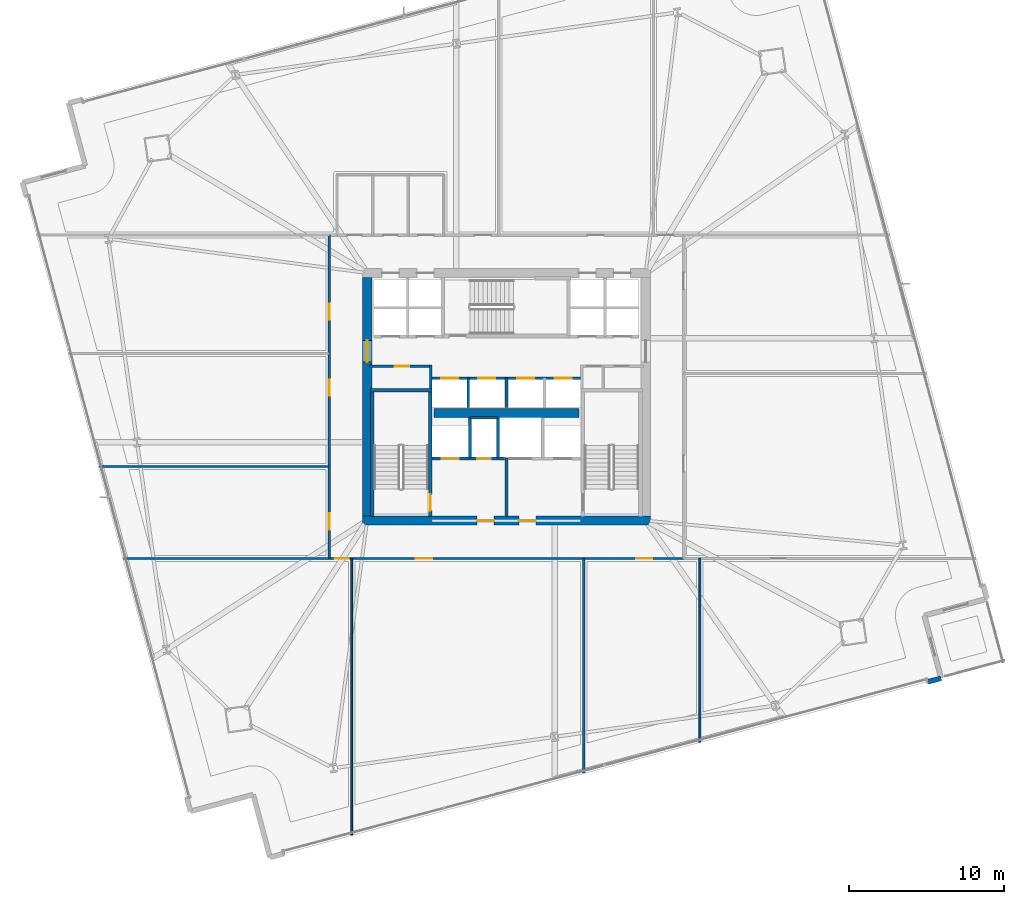
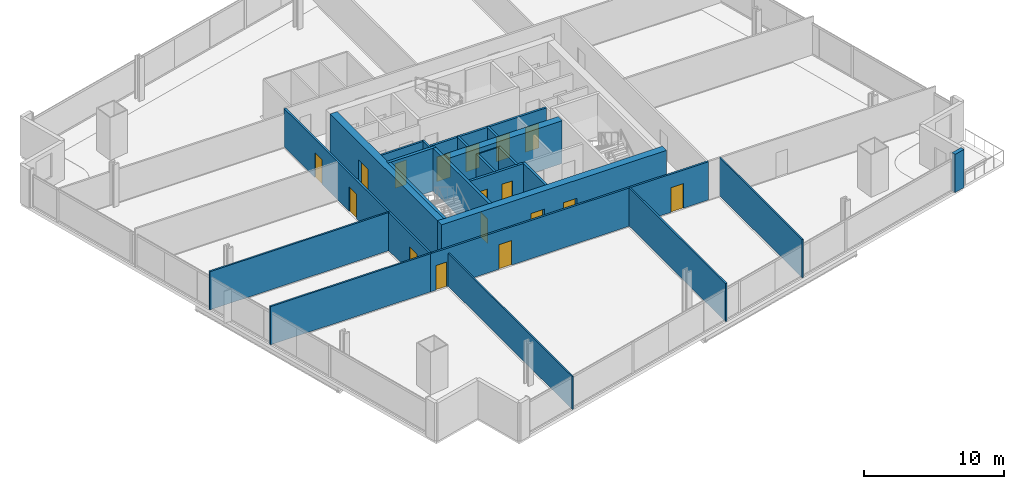
# One storey, part 25 of 33: 24 walls, 17 doors, 17 openings.
"""IFC4 building model written with IfcOpenShell, lengths in metres."""

from ifc_helpers import new_model, si_unit, direction, frame, frame_2d, origin, place, context, subcontext, project, spatial, rectangle, extrude, material, layer, layer_set, type_object, element, fill, save


model = new_model("IFC4")

# Units and contexts
model_context = context("Model", 3, precision=1e-05, world=origin(), true_north=direction((0.0, 1.0)))
body_context = subcontext(model_context, "Body", "Model", "MODEL_VIEW")
ifc_project = project(units=[si_unit("LENGTHUNIT", "METRE"), si_unit("AREAUNIT", "SQUARE_METRE"), si_unit("VOLUMEUNIT", "CUBIC_METRE"), si_unit("PLANEANGLEUNIT", "RADIAN"), si_unit("MASSUNIT", "GRAM", prefix="KILO")], contexts=[model_context])

# Site, building, storey
site_placement = place(None, origin())
site = spatial("IfcSite", under=ifc_project, at=site_placement, CompositionType="ELEMENT")
building_placement = place(site_placement, origin())
building = spatial("IfcBuilding", under=site, at=building_placement, Name="Haldenkirk Collegiate Tower", CompositionType="ELEMENT")
storey_placement = place(building_placement, frame((0.0, 0.0, 77.699951171875)))
storey = spatial("IfcBuildingStorey", under=building, at=storey_placement, Name="L18", CompositionType="ELEMENT", Elevation=77.699951171875)

# Wall, openings, doors
ifc_material_1 = material(Name="Concrete f'c 70 MPa", Category="concrete")
ifc_layer_1 = layer(ifc_material_1, 0.60009765625)
ifc_layer_set_1 = layer_set([ifc_layer_1], Name="Concrete f'c 70 MPa")
wall_type_1 = type_object("IfcWallType", Name="WL-CORE-600", PredefinedType="SHEAR", material=ifc_layer_set_1)
wall_1_placement = place(storey_placement, frame((26.699951171875, 18.0, 0.0), z_axis=(0.0, 0.0, 1.0), x_axis=(1.0, 0.0, 0.0)))
wall_1 = element("IfcWall", 1, at=wall_1_placement, inside=storey, type_object=wall_type_1, Name="L18 central core shear wall S", PredefinedType="SHEAR", context=body_context, shape_type="SweptSolid", body=[
    extrude(rectangle(XDim=18.60009765625, YDim=0.60009765625, at=frame_2d((9.300048828125, 0.0))), origin(), (0.0, 0.0, 1.0), 3.75),
])
opening_1_placement = place(wall_1_placement, frame((7.39990234375, 0.0, 0.0)))
opening_1 = element("IfcOpeningElement", 2, at=opening_1_placement, cuts=wall_1, Name="Opening D-02", PredefinedType="OPENING", context=body_context, shape_type="SweptSolid", body=[
    extrude(rectangle(XDim=1.10009765625, YDim=2.14990234375, at=frame_2d((0.550048828125, 1.074951171875))), frame((0.0, 0.31005859375, 0.0), z_axis=(0.0, -1.0, 0.0), x_axis=(1.0, 0.0, 0.0)), (0.0, 0.0, 1.0), 0.6201171875),
])
opening_2_placement = place(wall_1_placement, frame((10.10009765625, 0.0, 0.0)))
opening_2 = element("IfcOpeningElement", 3, at=opening_2_placement, cuts=wall_1, Name="Opening D-02", PredefinedType="OPENING", context=body_context, shape_type="SweptSolid", body=[
    extrude(rectangle(XDim=1.10009765625, YDim=2.14990234375, at=frame_2d((0.550048828125, 1.074951171875))), frame((0.0, 0.31005859375, 0.0), z_axis=(0.0, -1.0, 0.0), x_axis=(1.0, 0.0, 0.0)), (0.0, 0.0, 1.0), 0.6201171875),
])
ifc_material_2 = material(Name="Galvanized fire-rated hollow steel door", Category="steel")
ifc_layer_2 = layer(ifc_material_2, 0.06005859375)
ifc_layer_set_2 = layer_set([ifc_layer_2], Name="Galvanized fire-rated hollow steel door")
door_type_1 = type_object("IfcDoorType", Name="DR-STAIR-FD90-1100", OperationType="NOTDEFINED", PredefinedType="DOOR", material=ifc_layer_set_2)
door_1_placement = place(opening_1_placement, origin())
door_1 = element("IfcDoor", 4, at=door_1_placement, inside=storey, type_object=door_type_1, Name="L18 Firefighting Lobby 1 door", OperationType="SINGLE_SWING_LEFT", OverallHeight=2.14990234375, OverallWidth=1.10009765625, PredefinedType="DOOR", context=body_context, shape_type="SweptSolid", body=[
    extrude(rectangle(XDim=1.10009765625, YDim=2.14990234375, at=frame_2d((0.550048828125, 1.074951171875))), frame((0.0, 0.02490234375, 0.0), z_axis=(0.0, -1.0, 0.0), x_axis=(1.0, 0.0, 0.0)), (0.0, 0.0, 1.0), 0.050048828125),
])
fill(opening_1, door_1)
door_2_placement = place(opening_2_placement, origin())
door_2 = element("IfcDoor", 5, at=door_2_placement, inside=storey, type_object=door_type_1, Name="L18 Firefighting Lobby 2 door", OperationType="SINGLE_SWING_RIGHT", OverallHeight=2.14990234375, OverallWidth=1.10009765625, PredefinedType="DOOR", context=body_context, shape_type="SweptSolid", body=[
    extrude(rectangle(XDim=1.10009765625, YDim=2.14990234375, at=frame_2d((0.550048828125, 1.074951171875))), frame((0.0, 0.02490234375, 0.0), z_axis=(0.0, -1.0, 0.0), x_axis=(1.0, 0.0, 0.0)), (0.0, 0.0, 1.0), 0.050048828125),
])
fill(opening_2, door_2)

# Wall, opening, door
wall_2_placement = place(storey_placement, frame((27.0, 18.300048828125, 0.0), z_axis=(0.0, 0.0, 1.0), x_axis=(0.0, 1.0, 0.0)))
wall_2 = element("IfcWall", 6, at=wall_2_placement, inside=storey, type_object=wall_type_1, Name="L18 central core shear wall W", PredefinedType="SHEAR", context=body_context, shape_type="SweptSolid", body=[
    extrude(rectangle(XDim=15.39990234375, YDim=0.60009765625, at=frame_2d((7.699951171875, 0.0))), origin(), (0.0, 0.0, 1.0), 3.75),
])
opening_3_placement = place(wall_2_placement, frame((9.93994140625, 0.0, 0.0)))
opening_3 = element("IfcOpeningElement", 7, at=opening_3_placement, cuts=wall_2, Name="Opening D-03", PredefinedType="OPENING", context=body_context, shape_type="SweptSolid", body=[
    extrude(rectangle(XDim=1.39990234375, YDim=2.199951171875, at=frame_2d((0.699951171875, 1.10009765625))), frame((0.0, 0.31005859375, 0.0), z_axis=(0.0, -1.0, 0.0), x_axis=(1.0, 0.0, 0.0)), (0.0, 0.0, 1.0), 0.6201171875),
])
ifc_layer_3 = layer(ifc_material_2, 0.06005859375)
ifc_layer_set_3 = layer_set([ifc_layer_3], Name="Galvanized fire-rated hollow steel door")
door_type_2 = type_object("IfcDoorType", Name="DR-LOBBY-FD90-1400", OperationType="NOTDEFINED", PredefinedType="DOOR", material=ifc_layer_set_3)
door_3_placement = place(opening_3_placement, origin())
door_3 = element("IfcDoor", 8, at=door_3_placement, inside=storey, type_object=door_type_2, Name="L18 west lift lobby portal", OperationType="DOUBLE_DOOR_SINGLE_SWING", OverallHeight=2.199951171875, OverallWidth=1.39990234375, PredefinedType="DOOR", context=body_context, shape_type="SweptSolid", body=[
    extrude(rectangle(XDim=1.39990234375, YDim=2.199951171875, at=frame_2d((0.699951171875, 1.10009765625))), frame((0.0, 0.02490234375, 0.0), z_axis=(0.0, -1.0, 0.0), x_axis=(1.0, 0.0, 0.0)), (0.0, 0.0, 1.0), 0.050048828125),
])
fill(opening_3, door_3)

# Walls
wall_3_placement = place(storey_placement, frame((31.31005859375, 24.949951171875, 0.0), z_axis=(0.0, 0.0, 1.0), x_axis=(1.0, 0.0, 0.0)))
element("IfcWall", 9, at=wall_3_placement, inside=storey, type_object=wall_type_1, Name="L18 central core spine shear wall", PredefinedType="SHEAR", context=body_context, shape_type="SweptSolid", body=[
    extrude(rectangle(XDim=9.3798828125, YDim=0.60009765625, at=frame_2d((4.68994140625, 0.0))), origin(), (0.0, 0.0, 1.0), 3.75),
])
ifc_material_3 = material(Name="Precast concrete f'c 40 MPa", Category="concrete")
ifc_layer_4 = layer(ifc_material_3, 0.320068359375)
ifc_layer_set_4 = layer_set([ifc_layer_4], Name="Precast concrete f'c 40 MPa")
wall_type_2 = type_object("IfcWallType", Name="WL-EXT-TWR-320", PredefinedType="STANDARD", material=ifc_layer_set_4)
wall_4_placement = place(storey_placement, frame((64.094482421875, 7.806884765625, 0.0), z_axis=(0.0, 0.0, 1.0), x_axis=(-0.966158364413, -0.257949636316, 0.0)))
element("IfcWall", 10, at=wall_4_placement, inside=storey, type_object=wall_type_2, Name="L18 precast corner pier SL", PredefinedType="STANDARD", context=body_context, shape_type="SweptSolid", body=[
    extrude(rectangle(XDim=0.900146484375, YDim=0.320068359375, at=frame_2d((0.4501953125, 0.0))), origin(), (0.0, 0.0, 1.0), 3.340087890625),
])

# Wall, opening, door
ifc_material_4 = material(Name="Acoustic fire-rated gypsum partition", Category="concrete")
ifc_layer_5 = layer(ifc_material_4, 0.159912109375)
ifc_layer_set_5 = layer_set([ifc_layer_5], Name="Acoustic fire-rated gypsum partition")
wall_type_3 = type_object("IfcWallType", Name="WL-INT-CORR-160", PredefinedType="PARTITIONING", material=ifc_layer_set_5)
wall_5_placement = place(storey_placement, frame((27.14990234375, 27.97998046875, 0.0), z_axis=(0.0, 0.0, 1.0), x_axis=(1.0, 0.0, 0.0)))
wall_5 = element("IfcWall", 11, at=wall_5_placement, inside=storey, type_object=wall_type_3, Name="L18 interior partition IW-L18-VCSW-N", PredefinedType="PARTITIONING", context=body_context, shape_type="SweptSolid", body=[
    extrude(rectangle(XDim=4.050048828125, YDim=0.159912109375, at=frame_2d((2.02490234375, 0.0))), origin(), (0.0, 0.0, 1.0), 3.340087890625),
])
opening_4_placement = place(wall_5_placement, frame((1.625, 0.0, 0.0)))
opening_4 = element("IfcOpeningElement", 12, at=opening_4_placement, cuts=wall_5, Name="Opening D-10", PredefinedType="OPENING", context=body_context, shape_type="SweptSolid", body=[
    extrude(rectangle(XDim=0.949951171875, YDim=2.14990234375, at=frame_2d((0.47509765625, 1.074951171875))), frame((0.0, 0.08984375, 0.0), z_axis=(0.0, -1.0, 0.0), x_axis=(1.0, 0.0, 0.0)), (0.0, 0.0, 1.0), 0.179931640625),
])
ifc_material_5 = material(Name="Solid-core architectural oak fire door", Category="wood")
ifc_layer_6 = layer(ifc_material_5, 0.06005859375)
ifc_layer_set_6 = layer_set([ifc_layer_6], Name="Solid-core architectural oak fire door")
door_type_3 = type_object("IfcDoorType", Name="DR-INT-FD60-950", OperationType="NOTDEFINED", PredefinedType="DOOR", material=ifc_layer_set_6)
door_4_placement = place(opening_4_placement, origin())
door_4 = element("IfcDoor", 13, at=door_4_placement, inside=storey, type_object=door_type_3, Name="L18 core tea pantry door", OperationType="SINGLE_SWING_LEFT", OverallHeight=2.14990234375, OverallWidth=0.949951171875, PredefinedType="DOOR", context=body_context, shape_type="SweptSolid", body=[
    extrude(rectangle(XDim=0.949951171875, YDim=2.14990234375, at=frame_2d((0.47509765625, 1.074951171875))), frame((0.0, 0.02490234375, 0.0), z_axis=(0.0, -1.0, 0.0), x_axis=(1.0, 0.0, 0.0)), (0.0, 0.0, 1.0), 0.050048828125),
])
fill(opening_4, door_4)

# Wall
wall_6_placement = place(storey_placement, frame((31.1201171875, 26.5400390625, 0.0), z_axis=(0.0, 0.0, 1.0), x_axis=(0.0, 1.0, 0.0)))
element("IfcWall", 14, at=wall_6_placement, inside=storey, type_object=wall_type_3, Name="L18 interior partition IW-L18-VCSW-E", PredefinedType="PARTITIONING", context=body_context, shape_type="SweptSolid", body=[
    extrude(rectangle(XDim=1.510009765625, YDim=0.159912109375, at=frame_2d((0.7548828125, 0.0))), origin(), (0.0, 0.0, 1.0), 3.340087890625),
])

# Wall, openings, doors
wall_7_placement = place(storey_placement, frame((24.5, 15.550048828125, 0.0), z_axis=(0.0, 0.0, 1.0), x_axis=(1.0, 0.0, 0.0)))
wall_7 = element("IfcWall", 15, at=wall_7_placement, inside=storey, type_object=wall_type_3, Name="L18 interior partition IW-L18-CS", PredefinedType="PARTITIONING", context=body_context, shape_type="SweptSolid", body=[
    extrude(rectangle(XDim=23.0, YDim=0.159912109375, at=frame_2d((11.5, 0.0))), origin(), (0.0, 0.0, 1.0), 3.340087890625),
])
opening_5_placement = place(wall_7_placement, frame((0.425048828125, 0.0, 0.0)))
opening_5 = element("IfcOpeningElement", 16, at=opening_5_placement, cuts=wall_7, Name="Opening D-11", PredefinedType="OPENING", context=body_context, shape_type="SweptSolid", body=[
    extrude(rectangle(XDim=0.89990234375, YDim=2.14990234375, at=frame_2d((0.449951171875, 1.074951171875))), frame((0.0, 0.08984375, 0.0), z_axis=(0.0, -1.0, 0.0), x_axis=(1.0, 0.0, 0.0)), (0.0, 0.0, 1.0), 0.179931640625),
])
opening_6_placement = place(wall_7_placement, frame((5.655029296875, 0.0, 0.0)))
opening_6 = element("IfcOpeningElement", 17, at=opening_6_placement, cuts=wall_7, Name="Opening D-09", PredefinedType="OPENING", context=body_context, shape_type="SweptSolid", body=[
    extrude(rectangle(XDim=1.050048828125, YDim=2.14990234375, at=frame_2d((0.52490234375, 1.074951171875))), frame((0.0, 0.08984375, 0.0), z_axis=(0.0, -1.0, 0.0), x_axis=(1.0, 0.0, 0.0)), (0.0, 0.0, 1.0), 0.179931640625),
])
opening_7_placement = place(wall_7_placement, frame((19.87890625, 0.0, 0.0)))
opening_7 = element("IfcOpeningElement", 18, at=opening_7_placement, cuts=wall_7, Name="Opening D-09", PredefinedType="OPENING", context=body_context, shape_type="SweptSolid", body=[
    extrude(rectangle(XDim=1.050048828125, YDim=2.14990234375, at=frame_2d((0.52490234375, 1.074951171875))), frame((0.0, 0.08984375, 0.0), z_axis=(0.0, -1.0, 0.0), x_axis=(1.0, 0.0, 0.0)), (0.0, 0.0, 1.0), 0.179931640625),
])
ifc_layer_7 = layer(ifc_material_5, 0.06005859375)
ifc_layer_set_7 = layer_set([ifc_layer_7], Name="Solid-core architectural oak fire door")
door_type_4 = type_object("IfcDoorType", Name="DR-INT-FD60-1050", OperationType="NOTDEFINED", PredefinedType="DOOR", material=ifc_layer_set_7)
door_5_placement = place(opening_6_placement, origin())
door_5 = element("IfcDoor", 19, at=door_5_placement, inside=storey, type_object=door_type_4, Name="L18 Campus Design Shop 2 door", OperationType="SINGLE_SWING_RIGHT", OverallHeight=2.14990234375, OverallWidth=1.050048828125, PredefinedType="DOOR", context=body_context, shape_type="SweptSolid", body=[
    extrude(rectangle(XDim=1.050048828125, YDim=2.14990234375, at=frame_2d((0.52490234375, 1.074951171875))), frame((0.0, 0.02490234375, 0.0), z_axis=(0.0, -1.0, 0.0), x_axis=(1.0, 0.0, 0.0)), (0.0, 0.0, 1.0), 0.050048828125),
])
fill(opening_6, door_5)
door_6_placement = place(opening_7_placement, origin())
door_6 = element("IfcDoor", 20, at=door_6_placement, inside=storey, type_object=door_type_4, Name="L18 Collegiate Supply Shop 3 door", OperationType="SINGLE_SWING_LEFT", OverallHeight=2.14990234375, OverallWidth=1.050048828125, PredefinedType="DOOR", context=body_context, shape_type="SweptSolid", body=[
    extrude(rectangle(XDim=1.050048828125, YDim=2.14990234375, at=frame_2d((0.52490234375, 1.074951171875))), frame((0.0, 0.02490234375, 0.0), z_axis=(0.0, -1.0, 0.0), x_axis=(1.0, 0.0, 0.0)), (0.0, 0.0, 1.0), 0.050048828125),
])
fill(opening_7, door_6)
ifc_layer_8 = layer(ifc_material_5, 0.06005859375)
ifc_layer_set_8 = layer_set([ifc_layer_8], Name="Solid-core architectural oak fire door")
door_type_5 = type_object("IfcDoorType", Name="DR-INT-FD60-900", OperationType="NOTDEFINED", PredefinedType="DOOR", material=ifc_layer_set_8)
door_7_placement = place(opening_5_placement, origin())
door_7 = element("IfcDoor", 21, at=door_7_placement, inside=storey, type_object=door_type_5, Name="L18 Academic Press Bookshop 1 door", OperationType="SINGLE_SWING_LEFT", OverallHeight=2.14990234375, OverallWidth=0.89990234375, PredefinedType="DOOR", context=body_context, shape_type="SweptSolid", body=[
    extrude(rectangle(XDim=0.89990234375, YDim=2.14990234375, at=frame_2d((0.449951171875, 1.074951171875))), frame((0.0, 0.02490234375, 0.0), z_axis=(0.0, -1.0, 0.0), x_axis=(1.0, 0.0, 0.0)), (0.0, 0.0, 1.0), 0.050048828125),
])
fill(opening_5, door_7)

wall_8_placement = place(storey_placement, frame((24.550048828125, 15.550048828125, 0.0), z_axis=(0.0, 0.0, 1.0), x_axis=(0.0, 1.0, 0.0)))
wall_8 = element("IfcWall", 22, at=wall_8_placement, inside=storey, type_object=wall_type_3, Name="L18 interior partition IW-L18-CW", PredefinedType="PARTITIONING", context=body_context, shape_type="SweptSolid", body=[
    extrude(rectangle(XDim=20.89990234375, YDim=0.159912109375, at=frame_2d((10.449951171875, 0.0))), origin(), (0.0, 0.0, 1.0), 3.340087890625),
])
opening_8_placement = place(wall_8_placement, frame((1.862060546875, 0.0, 0.0)))
opening_8 = element("IfcOpeningElement", 23, at=opening_8_placement, cuts=wall_8, Name="Opening D-09", PredefinedType="OPENING", context=body_context, shape_type="SweptSolid", body=[
    extrude(rectangle(XDim=1.050048828125, YDim=2.14990234375, at=frame_2d((0.52490234375, 1.074951171875))), frame((0.0, 0.08984375, 0.0), z_axis=(0.0, -1.0, 0.0), x_axis=(1.0, 0.0, 0.0)), (0.0, 0.0, 1.0), 0.179931640625),
])
opening_9_placement = place(wall_8_placement, frame((10.509033203125, 0.0, 0.0)))
opening_9 = element("IfcOpeningElement", 24, at=opening_9_placement, cuts=wall_8, Name="Opening D-09", PredefinedType="OPENING", context=body_context, shape_type="SweptSolid", body=[
    extrude(rectangle(XDim=1.050048828125, YDim=2.14990234375, at=frame_2d((0.52490234375, 1.074951171875))), frame((0.0, 0.08984375, 0.0), z_axis=(0.0, -1.0, 0.0), x_axis=(1.0, 0.0, 0.0)), (0.0, 0.0, 1.0), 0.179931640625),
])
opening_10_placement = place(wall_8_placement, frame((15.426025390625, 0.0, 0.0)))
opening_10 = element("IfcOpeningElement", 25, at=opening_10_placement, cuts=wall_8, Name="Opening D-09", PredefinedType="OPENING", context=body_context, shape_type="SweptSolid", body=[
    extrude(rectangle(XDim=1.050048828125, YDim=2.14990234375, at=frame_2d((0.52490234375, 1.074951171875))), frame((0.0, 0.08984375, 0.0), z_axis=(0.0, -1.0, 0.0), x_axis=(1.0, 0.0, 0.0)), (0.0, 0.0, 1.0), 0.179931640625),
])
door_8_placement = place(opening_8_placement, origin())
door_8 = element("IfcDoor", 26, at=door_8_placement, inside=storey, type_object=door_type_4, Name="L18 Campus Design Shop 8 door", OperationType="SINGLE_SWING_RIGHT", OverallHeight=2.14990234375, OverallWidth=1.050048828125, PredefinedType="DOOR", context=body_context, shape_type="SweptSolid", body=[
    extrude(rectangle(XDim=1.050048828125, YDim=2.14990234375, at=frame_2d((0.52490234375, 1.074951171875))), frame((0.0, 0.02490234375, 0.0), z_axis=(0.0, -1.0, 0.0), x_axis=(1.0, 0.0, 0.0)), (0.0, 0.0, 1.0), 0.050048828125),
])
fill(opening_8, door_8)
door_9_placement = place(opening_9_placement, origin())
door_9 = element("IfcDoor", 27, at=door_9_placement, inside=storey, type_object=door_type_4, Name="L18 Collegiate Supply Shop 9 door", OperationType="SINGLE_SWING_LEFT", OverallHeight=2.14990234375, OverallWidth=1.050048828125, PredefinedType="DOOR", context=body_context, shape_type="SweptSolid", body=[
    extrude(rectangle(XDim=1.050048828125, YDim=2.14990234375, at=frame_2d((0.52490234375, 1.074951171875))), frame((0.0, 0.02490234375, 0.0), z_axis=(0.0, -1.0, 0.0), x_axis=(1.0, 0.0, 0.0)), (0.0, 0.0, 1.0), 0.050048828125),
])
fill(opening_9, door_9)
door_10_placement = place(opening_10_placement, origin())
door_10 = element("IfcDoor", 28, at=door_10_placement, inside=storey, type_object=door_type_4, Name="L18 Architectural Crit Studio 10 door", OperationType="SINGLE_SWING_RIGHT", OverallHeight=2.14990234375, OverallWidth=1.050048828125, PredefinedType="DOOR", context=body_context, shape_type="SweptSolid", body=[
    extrude(rectangle(XDim=1.050048828125, YDim=2.14990234375, at=frame_2d((0.52490234375, 1.074951171875))), frame((0.0, 0.02490234375, 0.0), z_axis=(0.0, -1.0, 0.0), x_axis=(1.0, 0.0, 0.0)), (0.0, 0.0, 1.0), 0.050048828125),
])
fill(opening_10, door_10)

# Walls
ifc_layer_9 = layer(ifc_material_4, 0.139892578125)
ifc_layer_set_9 = layer_set([ifc_layer_9], Name="Acoustic fire-rated gypsum partition")
wall_type_4 = type_object("IfcWallType", Name="WL-INT-DIV-140", PredefinedType="PARTITIONING", material=ifc_layer_set_9)
wall_9_placement = place(storey_placement, frame((11.248046875, 15.550048828125, 0.0), z_axis=(0.0, 0.0, 1.0), x_axis=(1.0, 0.0, 0.0)))
element("IfcWall", 29, at=wall_9_placement, inside=storey, type_object=wall_type_4, Name="L18 interior partition IW-L18-BWS", PredefinedType="PARTITIONING", context=body_context, shape_type="SweptSolid", body=[
    extrude(rectangle(XDim=13.302001953125, YDim=0.139892578125, at=frame_2d((6.65087890625, 0.0))), origin(), (0.0, 0.0, 1.0), 3.340087890625),
])
wall_10_placement = place(storey_placement, frame((41.0, 1.681640625, 0.0), z_axis=(0.0, 0.0, 1.0), x_axis=(0.0, 1.0, 0.0)))
element("IfcWall", 30, at=wall_10_placement, inside=storey, type_object=wall_type_4, Name="L18 interior partition IW-L18-RS2", PredefinedType="PARTITIONING", context=body_context, shape_type="SweptSolid", body=[
    extrude(rectangle(XDim=13.868408203125, YDim=0.139892578125, at=frame_2d((6.93408203125, 0.0))), origin(), (0.0, 0.0, 1.0), 3.340087890625),
])
wall_11_placement = place(storey_placement, frame((9.6591796875, 21.5, 0.0), z_axis=(0.0, 0.0, 1.0), x_axis=(1.0, 0.0, 0.0)))
element("IfcWall", 31, at=wall_11_placement, inside=storey, type_object=wall_type_4, Name="L18 interior partition IW-L18-RW1", PredefinedType="PARTITIONING", context=body_context, shape_type="SweptSolid", body=[
    extrude(rectangle(XDim=14.890869140625, YDim=0.139892578125, at=frame_2d((7.4453125, 0.0))), origin(), (0.0, 0.0, 1.0), 3.340087890625),
])
ifc_material_6 = material(Name="Fire-rated gypsum shaftboard assembly", Category="concrete")
ifc_layer_10 = layer(ifc_material_6, 0.179931640625)
ifc_layer_set_10 = layer_set([ifc_layer_10], Name="Fire-rated gypsum shaftboard assembly")
wall_type_5 = type_object("IfcWallType", Name="WL-INT-SHAFT-180", PredefinedType="PARTITIONING", material=ifc_layer_set_10)
for number, where, z_axis, x_axis, name in (
    (32, (33.64990234375, 22.050048828125, 0.0), (0.0, 0.0, 1.0), (0.0, 1.0, 0.0), "L18 interior partition IW-L18-FL1E"),
    (33, (35.449951171875, 22.050048828125, 0.0), (0.0, 0.0, 1.0), (0.0, 1.0, 0.0), "L18 interior partition IW-L18-GL1W"),
):
    element("IfcWall", number, at=place(storey_placement, frame(where, z_axis=z_axis, x_axis=x_axis)), inside=storey, type_object=wall_type_5, Name=name, PredefinedType="PARTITIONING", context=body_context, shape_type="SweptSolid", body=[
        extrude(rectangle(XDim=2.599853515625, YDim=0.179931640625, at=frame_2d((1.2998046875, 0.0))), origin(), (0.0, 0.0, 1.0), 3.340087890625),
    ])
wall_12_placement = place(storey_placement, frame((33.64990234375, 24.64990234375, 0.0), z_axis=(0.0, 0.0, 1.0), x_axis=(1.0, 0.0, 0.0)))
element("IfcWall", 34, at=wall_12_placement, inside=storey, type_object=wall_type_5, Name="L18 interior partition IW-L18-RSRN", PredefinedType="PARTITIONING", context=body_context, shape_type="SweptSolid", body=[
    extrude(rectangle(XDim=1.800048828125, YDim=0.179931640625, at=frame_2d((0.89990234375, 0.0))), origin(), (0.0, 0.0, 1.0), 3.340087890625),
])

# Wall, openings, doors
wall_13_placement = place(storey_placement, frame((31.199951171875, 27.199951171875, 0.0), z_axis=(0.0, 0.0, 1.0), x_axis=(1.0, 0.0, 0.0)))
wall_13 = element("IfcWall", 35, at=wall_13_placement, inside=storey, type_object=wall_type_5, Name="L18 interior partition IW-L18-PHN", PredefinedType="PARTITIONING", context=body_context, shape_type="SweptSolid", body=[
    extrude(rectangle(XDim=9.60009765625, YDim=0.179931640625, at=frame_2d((4.800048828125, 0.0))), origin(), (0.0, 0.0, 1.0), 3.340087890625),
])
opening_11_placement = place(wall_13_placement, frame((0.590087890625, 0.0, 0.0)))
opening_11 = element("IfcOpeningElement", 36, at=opening_11_placement, cuts=wall_13, Name="Opening LD-11", PredefinedType="OPENING", context=body_context, shape_type="SweptSolid", body=[
    extrude(rectangle(XDim=1.10009765625, YDim=2.14990234375, at=frame_2d((0.550048828125, 1.074951171875))), frame((0.0, 0.099853515625, 0.0), z_axis=(0.0, -1.0, 0.0), x_axis=(1.0, 0.0, 0.0)), (0.0, 0.0, 1.0), 0.199951171875),
])
opening_12_placement = place(wall_13_placement, frame((2.989990234375, 0.0, 0.0)))
opening_12 = element("IfcOpeningElement", 37, at=opening_12_placement, cuts=wall_13, Name="Opening LD-11", PredefinedType="OPENING", context=body_context, shape_type="SweptSolid", body=[
    extrude(rectangle(XDim=1.10009765625, YDim=2.14990234375, at=frame_2d((0.550048828125, 1.074951171875))), frame((0.0, 0.099853515625, 0.0), z_axis=(0.0, -1.0, 0.0), x_axis=(1.0, 0.0, 0.0)), (0.0, 0.0, 1.0), 0.199951171875),
])
opening_13_placement = place(wall_13_placement, frame((5.510009765625, 0.0, 0.0)))
opening_13 = element("IfcOpeningElement", 38, at=opening_13_placement, cuts=wall_13, Name="Opening LD-11", PredefinedType="OPENING", context=body_context, shape_type="SweptSolid", body=[
    extrude(rectangle(XDim=1.10009765625, YDim=2.14990234375, at=frame_2d((0.550048828125, 1.074951171875))), frame((0.0, 0.099853515625, 0.0), z_axis=(0.0, -1.0, 0.0), x_axis=(1.0, 0.0, 0.0)), (0.0, 0.0, 1.0), 0.199951171875),
])
opening_14_placement = place(wall_13_placement, frame((7.909912109375, 0.0, 0.0)))
opening_14 = element("IfcOpeningElement", 39, at=opening_14_placement, cuts=wall_13, Name="Opening LD-11", PredefinedType="OPENING", context=body_context, shape_type="SweptSolid", body=[
    extrude(rectangle(XDim=1.10009765625, YDim=2.14990234375, at=frame_2d((0.550048828125, 1.074951171875))), frame((0.0, 0.099853515625, 0.0), z_axis=(0.0, -1.0, 0.0), x_axis=(1.0, 0.0, 0.0)), (0.0, 0.0, 1.0), 0.199951171875),
])
ifc_material_7 = material(Name="Brushed architectural stainless steel", Category="steel")
ifc_layer_11 = layer(ifc_material_7, 0.06005859375)
ifc_layer_set_11 = layer_set([ifc_layer_11], Name="Brushed architectural stainless steel")
door_type_6 = type_object("IfcDoorType", Name="LD-PASS-1100", OperationType="NOTDEFINED", PredefinedType="DOOR", material=ifc_layer_set_11)
door_11_placement = place(opening_11_placement, origin())
door_11 = element("IfcDoor", 40, at=door_11_placement, inside=storey, type_object=door_type_6, Name="L18 Elevator PH1 sliding landing door", OperationType="SLIDING_TO_LEFT", OverallHeight=2.14990234375, OverallWidth=1.10009765625, PredefinedType="DOOR", context=body_context, shape_type="SweptSolid", body=[
    extrude(rectangle(XDim=1.10009765625, YDim=2.14990234375, at=frame_2d((0.550048828125, 1.074951171875))), frame((0.0, 0.02490234375, 0.0), z_axis=(0.0, -1.0, 0.0), x_axis=(1.0, 0.0, 0.0)), (0.0, 0.0, 1.0), 0.050048828125),
])
fill(opening_11, door_11)
door_12_placement = place(opening_12_placement, origin())
door_12 = element("IfcDoor", 41, at=door_12_placement, inside=storey, type_object=door_type_6, Name="L18 Elevator PH2 sliding landing door", OperationType="SLIDING_TO_LEFT", OverallHeight=2.14990234375, OverallWidth=1.10009765625, PredefinedType="DOOR", context=body_context, shape_type="SweptSolid", body=[
    extrude(rectangle(XDim=1.10009765625, YDim=2.14990234375, at=frame_2d((0.550048828125, 1.074951171875))), frame((0.0, 0.02490234375, 0.0), z_axis=(0.0, -1.0, 0.0), x_axis=(1.0, 0.0, 0.0)), (0.0, 0.0, 1.0), 0.050048828125),
])
fill(opening_12, door_12)
door_13_placement = place(opening_13_placement, origin())
door_13 = element("IfcDoor", 42, at=door_13_placement, inside=storey, type_object=door_type_6, Name="L18 Elevator PH3 sliding landing door", OperationType="SLIDING_TO_LEFT", OverallHeight=2.14990234375, OverallWidth=1.10009765625, PredefinedType="DOOR", context=body_context, shape_type="SweptSolid", body=[
    extrude(rectangle(XDim=1.10009765625, YDim=2.14990234375, at=frame_2d((0.550048828125, 1.074951171875))), frame((0.0, 0.02490234375, 0.0), z_axis=(0.0, -1.0, 0.0), x_axis=(1.0, 0.0, 0.0)), (0.0, 0.0, 1.0), 0.050048828125),
])
fill(opening_13, door_13)
door_14_placement = place(opening_14_placement, origin())
door_14 = element("IfcDoor", 43, at=door_14_placement, inside=storey, type_object=door_type_6, Name="L18 Elevator PH4 sliding landing door", OperationType="SLIDING_TO_LEFT", OverallHeight=2.14990234375, OverallWidth=1.10009765625, PredefinedType="DOOR", context=body_context, shape_type="SweptSolid", body=[
    extrude(rectangle(XDim=1.10009765625, YDim=2.14990234375, at=frame_2d((0.550048828125, 1.074951171875))), frame((0.0, 0.02490234375, 0.0), z_axis=(0.0, -1.0, 0.0), x_axis=(1.0, 0.0, 0.0)), (0.0, 0.0, 1.0), 0.050048828125),
])
fill(opening_14, door_14)

# Walls
for number, where, z_axis, x_axis, name in (
    (44, (33.5400390625, 25.300048828125, 0.0), (0.0, 0.0, 1.0), (0.0, 1.0, 0.0), "L18 interior partition IW-L18-PHV1"),
    (45, (36.0, 25.300048828125, 0.0), (0.0, 0.0, 1.0), (0.0, 1.0, 0.0), "L18 interior partition IW-L18-PHV2"),
):
    element("IfcWall", number, at=place(storey_placement, frame(where, z_axis=z_axis, x_axis=x_axis)), inside=storey, type_object=wall_type_5, Name=name, PredefinedType="PARTITIONING", context=body_context, shape_type="SweptSolid", body=[
        extrude(rectangle(XDim=1.89990234375, YDim=0.179931640625, at=frame_2d((0.949951171875, 0.0))), origin(), (0.0, 0.0, 1.0), 3.340087890625),
    ])
ifc_layer_12 = layer(ifc_material_6, 0.199951171875)
ifc_layer_set_12 = layer_set([ifc_layer_12], Name="Fire-rated gypsum shaftboard assembly")
wall_type_6 = type_object("IfcWallType", Name="WL-INT-SHAFT-200", PredefinedType="PARTITIONING", material=ifc_layer_set_12)
wall_14_placement = place(storey_placement, frame((36.0, 18.280029296875, 0.0), z_axis=(0.0, 0.0, 1.0), x_axis=(0.0, 1.0, 0.0)))
element("IfcWall", 46, at=wall_14_placement, inside=storey, type_object=wall_type_6, Name="L18 interior partition IW-L18-FFLM", PredefinedType="PARTITIONING", context=body_context, shape_type="SweptSolid", body=[
    extrude(rectangle(XDim=3.77001953125, YDim=0.199951171875, at=frame_2d((1.885009765625, 0.0))), origin(), (0.0, 0.0, 1.0), 3.340087890625),
])

# Wall, openings, doors
wall_15_placement = place(storey_placement, frame((31.18994140625, 22.0, 0.0), z_axis=(0.0, 0.0, 1.0), x_axis=(1.0, 0.0, 0.0)))
wall_15 = element("IfcWall", 47, at=wall_15_placement, inside=storey, type_object=wall_type_6, Name="L18 interior partition IW-L18-FFL1N", PredefinedType="PARTITIONING", context=body_context, shape_type="SweptSolid", body=[
    extrude(rectangle(XDim=4.68994140625, YDim=0.199951171875, at=frame_2d((2.344970703125, 0.0))), origin(), (0.0, 0.0, 1.0), 3.340087890625),
])
opening_15_placement = place(wall_15_placement, frame((2.909912109375, 0.0, 0.0)))
opening_15 = element("IfcOpeningElement", 48, at=opening_15_placement, cuts=wall_15, Name="Opening D-06", PredefinedType="OPENING", context=body_context, shape_type="SweptSolid", body=[
    extrude(rectangle(XDim=0.89990234375, YDim=2.14990234375, at=frame_2d((0.449951171875, 1.074951171875))), frame((0.0, 0.10986328125, 0.0), z_axis=(0.0, -1.0, 0.0), x_axis=(1.0, 0.0, 0.0)), (0.0, 0.0, 1.0), 0.219970703125),
])
opening_16_placement = place(wall_15_placement, frame((0.635009765625, 0.0, 0.0)))
opening_16 = element("IfcOpeningElement", 49, at=opening_16_placement, cuts=wall_15, Name="Opening LD-12", PredefinedType="OPENING", context=body_context, shape_type="SweptSolid", body=[
    extrude(rectangle(XDim=1.10009765625, YDim=2.14990234375, at=frame_2d((0.550048828125, 1.074951171875))), frame((0.0, 0.10986328125, 0.0), z_axis=(0.0, -1.0, 0.0), x_axis=(1.0, 0.0, 0.0)), (0.0, 0.0, 1.0), 0.219970703125),
])
ifc_layer_13 = layer(ifc_material_2, 0.06005859375)
ifc_layer_set_13 = layer_set([ifc_layer_13], Name="Galvanized fire-rated hollow steel door")
door_type_7 = type_object("IfcDoorType", Name="DR-INT-FD90-900", OperationType="NOTDEFINED", PredefinedType="DOOR", material=ifc_layer_set_13)
door_15_placement = place(opening_15_placement, origin())
door_15 = element("IfcDoor", 50, at=door_15_placement, inside=storey, type_object=door_type_7, Name="L18 electrical riser door", OperationType="SINGLE_SWING_LEFT", OverallHeight=2.14990234375, OverallWidth=0.89990234375, PredefinedType="DOOR", context=body_context, shape_type="SweptSolid", body=[
    extrude(rectangle(XDim=0.89990234375, YDim=2.14990234375, at=frame_2d((0.449951171875, 1.074951171875))), frame((0.0, 0.02490234375, 0.0), z_axis=(0.0, -1.0, 0.0), x_axis=(1.0, 0.0, 0.0)), (0.0, 0.0, 1.0), 0.050048828125),
])
fill(opening_15, door_15)
ifc_layer_14 = layer(ifc_material_7, 0.06005859375)
ifc_layer_set_14 = layer_set([ifc_layer_14], Name="Brushed architectural stainless steel")
door_type_8 = type_object("IfcDoorType", Name="LD-FIRE-1100", OperationType="NOTDEFINED", PredefinedType="DOOR", material=ifc_layer_set_14)
door_16_placement = place(opening_16_placement, origin())
door_16 = element("IfcDoor", 51, at=door_16_placement, inside=storey, type_object=door_type_8, Name="L18 Elevator FL1 sliding landing door", OperationType="SLIDING_TO_LEFT", OverallHeight=2.14990234375, OverallWidth=1.10009765625, PredefinedType="DOOR", context=body_context, shape_type="SweptSolid", body=[
    extrude(rectangle(XDim=1.10009765625, YDim=2.14990234375, at=frame_2d((0.550048828125, 1.074951171875))), frame((0.0, 0.02490234375, 0.0), z_axis=(0.0, -1.0, 0.0), x_axis=(1.0, 0.0, 0.0)), (0.0, 0.0, 1.0), 0.050048828125),
])
fill(opening_16, door_16)

# Walls
ifc_layer_15 = layer(ifc_material_4, 0.1201171875)
ifc_layer_set_15 = layer_set([ifc_layer_15], Name="Acoustic fire-rated gypsum partition")
wall_type_7 = type_object("IfcWallType", Name="WL-INT-WET-120", PredefinedType="PARTITIONING", material=ifc_layer_set_15)
wall_16_placement = place(storey_placement, frame((26.0, -2.323486328125, 0.0), z_axis=(0.0, 0.0, 1.0), x_axis=(0.0, 1.0, 0.0)))
element("IfcWall", 52, at=wall_16_placement, inside=storey, type_object=wall_type_7, Name="L18 interior partition IW-L18-RS1", PredefinedType="PARTITIONING", context=body_context, shape_type="SweptSolid", body=[
    extrude(rectangle(XDim=17.87353515625, YDim=0.1201171875, at=frame_2d((8.936767578125, 0.0))), origin(), (0.0, 0.0, 1.0), 2.8720703125),
])
wall_17_placement = place(storey_placement, frame((48.5, 3.684326171875, 0.0), z_axis=(0.0, 0.0, 1.0), x_axis=(0.0, 1.0, 0.0)))
element("IfcWall", 53, at=wall_17_placement, inside=storey, type_object=wall_type_7, Name="L18 interior partition IW-L18-RS3", PredefinedType="PARTITIONING", context=body_context, shape_type="SweptSolid", body=[
    extrude(rectangle(XDim=11.86572265625, YDim=0.1201171875, at=frame_2d((5.932861328125, 0.0))), origin(), (0.0, 0.0, 1.0), 3.340087890625),
])

# Wall, opening, door
ifc_material_8 = material(Name="Concrete f'c 55 MPa", Category="concrete")
ifc_layer_16 = layer(ifc_material_8, 0.239990234375)
ifc_layer_set_16 = layer_set([ifc_layer_16], Name="Concrete f'c 55 MPa")
wall_type_8 = type_object("IfcWallType", Name="WL-SHAFT-240", PredefinedType="SHEAR", material=ifc_layer_set_16)
wall_18_placement = place(storey_placement, frame((31.070068359375, 18.280029296875, 0.0), z_axis=(0.0, 0.0, 1.0), x_axis=(0.0, 1.0, 0.0)))
wall_18 = element("IfcWall", 54, at=wall_18_placement, inside=storey, type_object=wall_type_8, Name="L18 stair shaft shear wall SW-L18-ST1E", PredefinedType="SHEAR", context=body_context, shape_type="SweptSolid", body=[
    extrude(rectangle(XDim=8.260009765625, YDim=0.239990234375, at=frame_2d((4.1298828125, 0.0))), origin(), (0.0, 0.0, 1.0), 3.75),
])
opening_17_placement = place(wall_18_placement, frame((0.364990234375, 0.0, 0.0)))
opening_17 = element("IfcOpeningElement", 55, at=opening_17_placement, cuts=wall_18, Name="Opening D-01", PredefinedType="OPENING", context=body_context, shape_type="SweptSolid", body=[
    extrude(rectangle(XDim=1.050048828125, YDim=2.14990234375, at=frame_2d((0.52490234375, 1.074951171875))), frame((0.0, 0.1298828125, 0.0), z_axis=(0.0, -1.0, 0.0), x_axis=(1.0, 0.0, 0.0)), (0.0, 0.0, 1.0), 0.260009765625),
])
ifc_layer_17 = layer(ifc_material_2, 0.06005859375)
ifc_layer_set_17 = layer_set([ifc_layer_17], Name="Galvanized fire-rated hollow steel door")
door_type_9 = type_object("IfcDoorType", Name="DR-STAIR-FD90-1050", OperationType="NOTDEFINED", PredefinedType="DOOR", material=ifc_layer_set_17)
door_17_placement = place(opening_17_placement, origin())
door_17 = element("IfcDoor", 56, at=door_17_placement, inside=storey, type_object=door_type_9, Name="L18 Stair 1 door", OperationType="SINGLE_SWING_LEFT", OverallHeight=2.14990234375, OverallWidth=1.050048828125, PredefinedType="DOOR", context=body_context, shape_type="SweptSolid", body=[
    extrude(rectangle(XDim=1.050048828125, YDim=2.14990234375, at=frame_2d((0.52490234375, 1.074951171875))), frame((0.0, 0.02490234375, 0.0), z_axis=(0.0, -1.0, 0.0), x_axis=(1.0, 0.0, 0.0)), (0.0, 0.0, 1.0), 0.050048828125),
])
fill(opening_17, door_17)

# Walls
wall_19_placement = place(storey_placement, frame((27.2099609375, 26.419921875, 0.0), z_axis=(0.0, 0.0, 1.0), x_axis=(1.0, 0.0, 0.0)))
element("IfcWall", 57, at=wall_19_placement, inside=storey, type_object=wall_type_8, Name="L18 stair shaft shear wall SW-L18-ST1N", PredefinedType="SHEAR", context=body_context, shape_type="SweptSolid", body=[
    extrude(rectangle(XDim=3.97998046875, YDim=0.239990234375, at=frame_2d((1.989990234375, 0.0))), origin(), (0.0, 0.0, 1.0), 3.75),
])
wall_20_placement = place(storey_placement, frame((27.330078125, 18.280029296875, 0.0), z_axis=(0.0, 0.0, 1.0), x_axis=(0.0, 1.0, 0.0)))
element("IfcWall", 58, at=wall_20_placement, inside=storey, type_object=wall_type_8, Name="L18 stair shaft shear wall SW-L18-ST1W", PredefinedType="SHEAR", context=body_context, shape_type="SweptSolid", body=[
    extrude(rectangle(XDim=8.260009765625, YDim=0.239990234375, at=frame_2d((4.1298828125, 0.0))), origin(), (0.0, 0.0, 1.0), 3.75),
])

save(model, "model.ifc")
